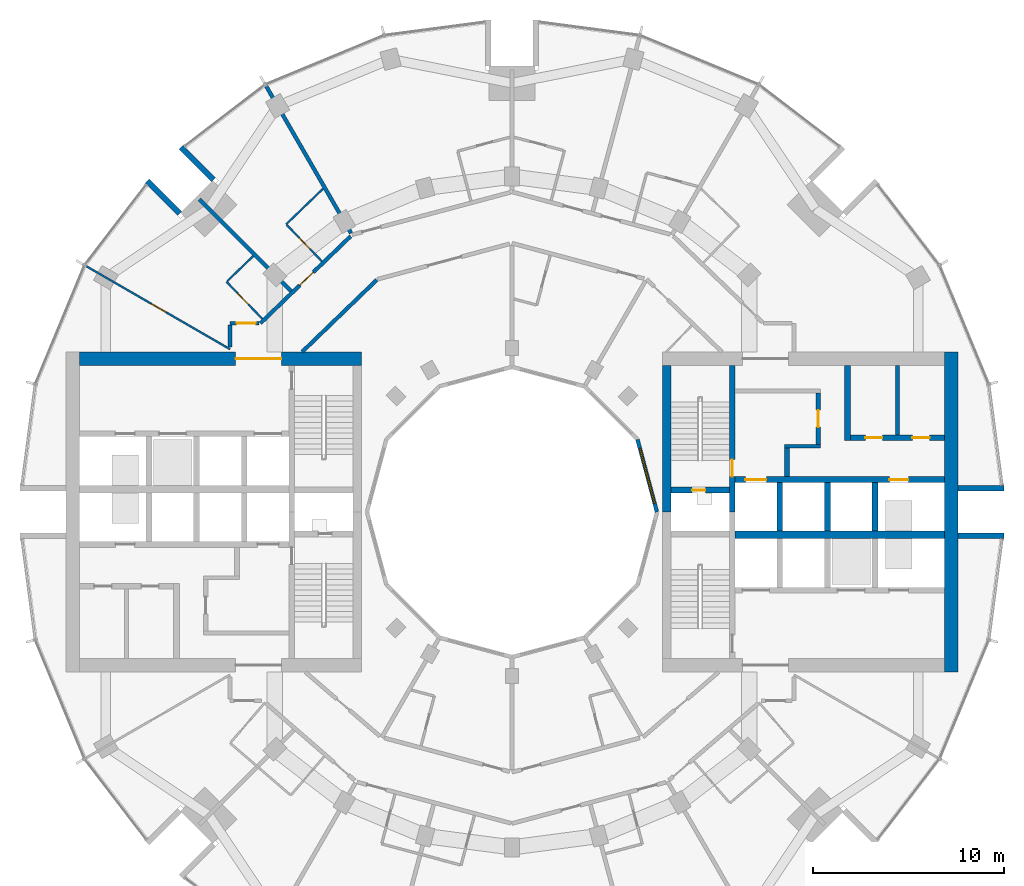
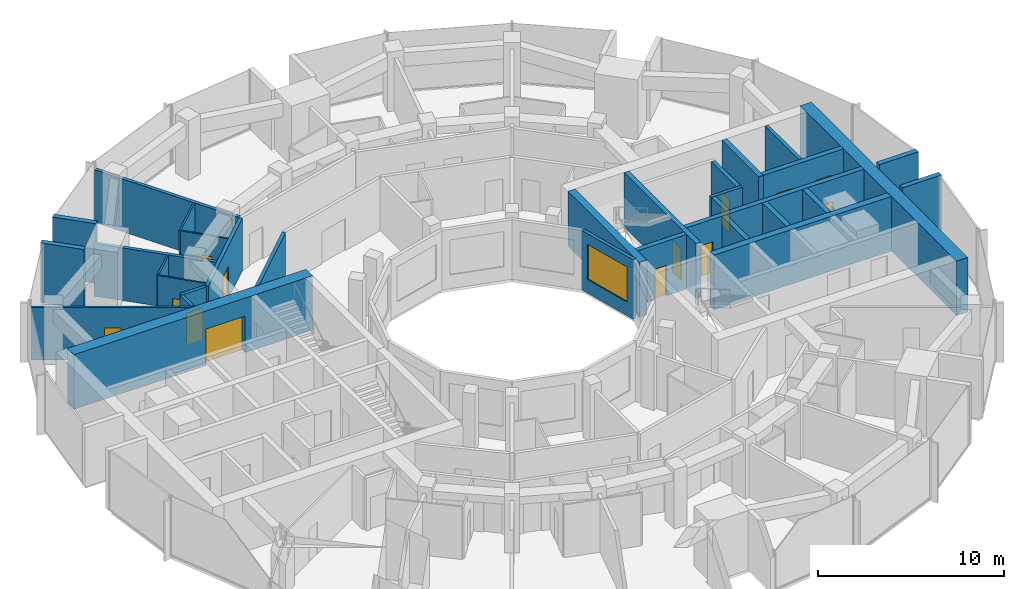
# One storey, part 11 of 15: 32 walls, 13 doors, 1 window, 14 openings.
"""IFC4 building model written with IfcOpenShell, lengths in metres."""

from ifc_helpers import new_model, si_unit, direction, frame, frame_2d, origin, place, context, subcontext, project, spatial, rectangle, extrude, material, layer, layer_set, type_object, element, fill, save


model = new_model("IFC4")

# Units and contexts
model_context = context("Model", 3, precision=1e-05, world=origin(), true_north=direction((0.0, 1.0)))
body_context = subcontext(model_context, "Body", "Model", "MODEL_VIEW")
ifc_project = project(units=[si_unit("LENGTHUNIT", "METRE"), si_unit("AREAUNIT", "SQUARE_METRE"), si_unit("VOLUMEUNIT", "CUBIC_METRE"), si_unit("PLANEANGLEUNIT", "RADIAN"), si_unit("MASSUNIT", "GRAM", prefix="KILO")], contexts=[model_context])

# Site, building, storey
site_placement = place(None, origin())
site = spatial("IfcSite", under=ifc_project, at=site_placement, CompositionType="ELEMENT")
building_placement = place(site_placement, origin())
building = spatial("IfcBuilding", under=site, at=building_placement, Name="Torre Brocal", CompositionType="ELEMENT")
storey_placement = place(building_placement, frame((0.0, 0.0, 118.5)))
storey = spatial("IfcBuildingStorey", under=building, at=storey_placement, Name="L27", CompositionType="ELEMENT", Elevation=118.5)

# Walls
ifc_material_1 = material(Name="Masonry block", Category="masonry")
ifc_layer_1 = layer(ifc_material_1, 0.199951171875)
ifc_layer_set_1 = layer_set([ifc_layer_1], Name="Masonry block")
wall_type_1 = type_object("IfcWallType", Name="CORE PARTITION 200", PredefinedType="PARTITIONING", material=ifc_layer_set_1)
wall_1_placement = place(storey_placement, frame((100.22509765625, 79.050048828125, 0.0), z_axis=(0.0, 0.0, 1.0), x_axis=(0.0, 1.0, 0.0)))
element("IfcWall", 1, at=wall_1_placement, inside=storey, type_object=wall_type_1, Name="Wall CP200", PredefinedType="PARTITIONING", context=body_context, shape_type="SweptSolid", body=[
    extrude(rectangle(XDim=3.64990234375, YDim=0.199951171875, at=frame_2d((1.824951171875, 0.0))), origin(), (0.0, 0.0, 1.0), 3.580078125),
])
ifc_material_2 = material(Name="Concrete C70", Category="concrete")
ifc_layer_2 = layer(ifc_material_2, 0.199951171875)
ifc_layer_set_2 = layer_set([ifc_layer_2], Name="Concrete C70")
wall_type_2 = type_object("IfcWallType", Name="CORE WALL 200 C70", PredefinedType="SHEAR", material=ifc_layer_set_2)
wall_2_placement = place(storey_placement, frame((94.300048828125, 78.449951171875, 0.0), z_axis=(0.0, 0.0, 1.0), x_axis=(1.0, 0.0, 0.0)))
element("IfcWall", 2, at=wall_2_placement, inside=storey, type_object=wall_type_2, Name="Wall CW200-70", PredefinedType="SHEAR", context=body_context, shape_type="SweptSolid", body=[
    extrude(rectangle(XDim=1.89990234375, YDim=0.199951171875, at=frame_2d((0.949951171875, 0.0))), origin(), (0.0, 0.0, 1.0), 3.580078125),
])

# Wall, opening, door
ifc_material_3 = material(Name="Concrete C70", Category="concrete")
ifc_layer_3 = layer(ifc_material_3, 0.25)
ifc_layer_set_3 = layer_set([ifc_layer_3], Name="Concrete C70")
wall_type_3 = type_object("IfcWallType", Name="CORE WALL 250 C70", PredefinedType="SHEAR", material=ifc_layer_set_3)
wall_3_placement = place(storey_placement, frame((96.074951171875, 78.550048828125, 0.0), z_axis=(0.0, 0.0, 1.0), x_axis=(0.0, 1.0, 0.0)))
wall_3 = element("IfcWall", 3, at=wall_3_placement, inside=storey, type_object=wall_type_3, Name="Wall CW250-70", PredefinedType="SHEAR", context=body_context, shape_type="SweptSolid", body=[
    extrude(rectangle(XDim=2.699951171875, YDim=0.25, at=frame_2d((1.35009765625, 0.0))), origin(), (0.0, 0.0, 1.0), 3.580078125),
])
opening_1_placement = place(wall_3_placement, frame((0.89990234375, 0.0, 0.0)))
opening_1 = element("IfcOpeningElement", 4, at=opening_1_placement, cuts=wall_3, Name="Opening E-D15", PredefinedType="OPENING", context=body_context, shape_type="SweptSolid", body=[
    extrude(rectangle(XDim=0.89990234375, YDim=2.10009765625, at=frame_2d((0.449951171875, 1.050048828125))), frame((0.0, 0.135009765625, 0.0), z_axis=(0.0, -1.0, 0.0), x_axis=(1.0, 0.0, 0.0)), (0.0, 0.0, 1.0), 0.27001953125),
])
ifc_material_4 = material(Name="Steel A653", Category="steel")
door_type_1 = type_object("IfcDoorType", Name="LOBBY DOOR FD120 900X2100", OperationType="SINGLE_SWING_RIGHT", PredefinedType="DOOR", material=ifc_material_4)
door_1_placement = place(opening_1_placement, origin())
door_1 = element("IfcDoor", 5, at=door_1_placement, inside=storey, type_object=door_type_1, Name="Door E-D15", OperationType="SINGLE_SWING_LEFT", OverallHeight=2.10009765625, OverallWidth=0.89990234375, PredefinedType="DOOR", context=body_context, shape_type="SweptSolid", body=[
    extrude(rectangle(XDim=0.89990234375, YDim=2.10009765625, at=frame_2d((0.449951171875, 1.050048828125))), frame((0.0, 0.02490234375, 0.0), z_axis=(0.0, -1.0, 0.0), x_axis=(1.0, 0.0, 0.0)), (0.0, 0.0, 1.0), 0.050048828125),
])
fill(opening_1, door_1)

# Wall
wall_4_placement = place(storey_placement, frame((94.425048828125, 76.85009765625, 0.0), z_axis=(0.0, 0.0, 1.0), x_axis=(0.0, 1.0, 0.0)))
element("IfcWall", 6, at=wall_4_placement, inside=storey, type_object=wall_type_3, Name="Wall CW250-70", PredefinedType="SHEAR", context=body_context, shape_type="SweptSolid", body=[
    extrude(rectangle(XDim=1.5, YDim=0.25, at=frame_2d((0.75, 0.0))), origin(), (0.0, 0.0, 1.0), 3.580078125),
])

# Wall, opening, door
ifc_material_5 = material(Name="Concrete C70", Category="concrete")
ifc_layer_4 = layer(ifc_material_5, 0.300048828125)
ifc_layer_set_4 = layer_set([ifc_layer_4], Name="Concrete C70")
wall_type_4 = type_object("IfcWallType", Name="CORE WALL 300 C70", PredefinedType="SHEAR", material=ifc_layer_set_4)
wall_5_placement = place(storey_placement, frame((91.550048828125, 75.0, 0.0), z_axis=(0.0, 0.0, 1.0), x_axis=(0.0, 1.0, 0.0)))
wall_5 = element("IfcWall", 7, at=wall_5_placement, inside=storey, type_object=wall_type_4, Name="Wall CW300-70", PredefinedType="SHEAR", context=body_context, shape_type="SweptSolid", body=[
    extrude(rectangle(XDim=7.699951171875, YDim=0.300048828125, at=frame_2d((3.85009765625, 0.0))), origin(), (0.0, 0.0, 1.0), 3.580078125),
])
opening_2_placement = place(wall_5_placement, frame((1.85009765625, 0.0, 0.0)))
opening_2 = element("IfcOpeningElement", 8, at=opening_2_placement, cuts=wall_5, Name="Opening E-D02", PredefinedType="OPENING", context=body_context, shape_type="SweptSolid", body=[
    extrude(rectangle(XDim=0.89990234375, YDim=2.10009765625, at=frame_2d((0.449951171875, 1.050048828125))), frame((0.0, 0.159912109375, 0.0), z_axis=(0.0, -1.0, 0.0), x_axis=(1.0, 0.0, 0.0)), (0.0, 0.0, 1.0), 0.320068359375),
])
ifc_material_6 = material(Name="Steel A653", Category="steel")
door_type_2 = type_object("IfcDoorType", Name="STAIR DOOR FD120 900X2100", OperationType="SINGLE_SWING_RIGHT", PredefinedType="DOOR", material=ifc_material_6)
door_2_placement = place(opening_2_placement, origin())
door_2 = element("IfcDoor", 9, at=door_2_placement, inside=storey, type_object=door_type_2, Name="Door E-D02", OperationType="SINGLE_SWING_LEFT", OverallHeight=2.10009765625, OverallWidth=0.89990234375, PredefinedType="DOOR", context=body_context, shape_type="SweptSolid", body=[
    extrude(rectangle(XDim=0.89990234375, YDim=2.10009765625, at=frame_2d((0.449951171875, 1.050048828125))), frame((0.0, 0.02490234375, 0.0), z_axis=(0.0, -1.0, 0.0), x_axis=(1.0, 0.0, 0.0)), (0.0, 0.0, 1.0), 0.050048828125),
])
fill(opening_2, door_2)

wall_6_placement = place(storey_placement, frame((88.35009765625, 76.14990234375, 0.0), z_axis=(0.0, 0.0, 1.0), x_axis=(1.0, 0.0, 0.0)))
wall_6 = element("IfcWall", 10, at=wall_6_placement, inside=storey, type_object=wall_type_4, Name="Wall CW300-70", PredefinedType="SHEAR", context=body_context, shape_type="SweptSolid", body=[
    extrude(rectangle(XDim=3.0498046875, YDim=0.300048828125, at=frame_2d((1.52490234375, 0.0))), origin(), (0.0, 0.0, 1.0), 3.580078125),
])
opening_3_placement = place(wall_6_placement, frame((1.10009765625, 0.0, 0.0)))
opening_3 = element("IfcOpeningElement", 11, at=opening_3_placement, cuts=wall_6, Name="Opening E-D01", PredefinedType="OPENING", context=body_context, shape_type="SweptSolid", body=[
    extrude(rectangle(XDim=0.699951171875, YDim=2.0, at=frame_2d((0.35009765625, 1.0))), frame((0.0, 0.159912109375, 0.0), z_axis=(0.0, -1.0, 0.0), x_axis=(1.0, 0.0, 0.0)), (0.0, 0.0, 1.0), 0.320068359375),
])
ifc_material_7 = material(Name="Steel A653", Category="steel")
door_type_3 = type_object("IfcDoorType", Name="RISER DOOR FD120 700X2000", OperationType="SINGLE_SWING_LEFT", PredefinedType="DOOR", material=ifc_material_7)
door_3_placement = place(opening_3_placement, frame((0.699951171875, 0.0, 0.0), z_axis=(0.0, 0.0, 1.0), x_axis=(-1.0, 0.0, 0.0)))
door_3 = element("IfcDoor", 12, at=door_3_placement, inside=storey, type_object=door_type_3, Name="Door E-D01", OperationType="SINGLE_SWING_RIGHT", OverallHeight=2.0, OverallWidth=0.699951171875, PredefinedType="DOOR", context=body_context, shape_type="SweptSolid", body=[
    extrude(rectangle(XDim=0.699951171875, YDim=2.0, at=frame_2d((0.35009765625, 1.0))), frame((0.0, 0.02490234375, 0.0), z_axis=(0.0, -1.0, 0.0), x_axis=(1.0, 0.0, 0.0)), (0.0, 0.0, 1.0), 0.050048828125),
])
fill(opening_3, door_3)

# Wall, openings, doors
wall_7_placement = place(storey_placement, frame((91.699951171875, 76.699951171875, 0.0), z_axis=(0.0, 0.0, 1.0), x_axis=(1.0, 0.0, 0.0)))
wall_7 = element("IfcWall", 13, at=wall_7_placement, inside=storey, type_object=wall_type_4, Name="Wall CW300-70", PredefinedType="SHEAR", context=body_context, shape_type="SweptSolid", body=[
    extrude(rectangle(XDim=11.0, YDim=0.300048828125, at=frame_2d((5.5, 0.0))), origin(), (0.0, 0.0, 1.0), 3.580078125),
])
opening_4_placement = place(wall_7_placement, frame((0.550048828125, 0.0, 0.0)))
opening_4 = element("IfcOpeningElement", 14, at=opening_4_placement, cuts=wall_7, Name="Opening LD", PredefinedType="OPENING", context=body_context, shape_type="SweptSolid", body=[
    extrude(rectangle(XDim=1.10009765625, YDim=2.10009765625, at=frame_2d((0.550048828125, 1.050048828125))), frame((0.0, 0.159912109375, 0.0), z_axis=(0.0, -1.0, 0.0), x_axis=(1.0, 0.0, 0.0)), (0.0, 0.0, 1.0), 0.320068359375),
])
opening_5_placement = place(wall_7_placement, frame((8.10009765625, 0.0, 0.0)))
opening_5 = element("IfcOpeningElement", 15, at=opening_5_placement, cuts=wall_7, Name="Opening LD10", PredefinedType="OPENING", context=body_context, shape_type="SweptSolid", body=[
    extrude(rectangle(XDim=1.0, YDim=2.10009765625, at=frame_2d((0.5, 1.050048828125))), frame((0.0, 0.159912109375, 0.0), z_axis=(0.0, -1.0, 0.0), x_axis=(1.0, 0.0, 0.0)), (0.0, 0.0, 1.0), 0.320068359375),
])
ifc_material_8 = material(Name="Stainless steel AISI 316", Category="steel")
door_type_4 = type_object("IfcDoorType", Name="LIFT LANDING DOOR 1000X2100", OperationType="DOUBLE_DOOR_SLIDING", PredefinedType="DOOR", material=ifc_material_8)
door_4_placement = place(opening_5_placement, origin())
door_4 = element("IfcDoor", 16, at=door_4_placement, inside=storey, type_object=door_type_4, Name="Door LD10", OperationType="DOUBLE_DOOR_SLIDING", OverallHeight=2.10009765625, OverallWidth=1.0, PredefinedType="DOOR", context=body_context, shape_type="SweptSolid", body=[
    extrude(rectangle(XDim=1.0, YDim=2.10009765625, at=frame_2d((0.5, 1.050048828125))), frame((0.0, 0.02490234375, 0.0), z_axis=(0.0, -1.0, 0.0), x_axis=(1.0, 0.0, 0.0)), (0.0, 0.0, 1.0), 0.050048828125),
])
fill(opening_5, door_4)
ifc_material_9 = material(Name="Stainless steel AISI 316", Category="steel")
door_type_5 = type_object("IfcDoorType", Name="LIFT LANDING DOOR 1100X2100", OperationType="DOUBLE_DOOR_SLIDING", PredefinedType="DOOR", material=ifc_material_9)
door_5_placement = place(opening_4_placement, origin())
door_5 = element("IfcDoor", 17, at=door_5_placement, inside=storey, type_object=door_type_5, Name="Door LD", OperationType="DOUBLE_DOOR_SLIDING", OverallHeight=2.10009765625, OverallWidth=1.10009765625, PredefinedType="DOOR", context=body_context, shape_type="SweptSolid", body=[
    extrude(rectangle(XDim=1.10009765625, YDim=2.10009765625, at=frame_2d((0.550048828125, 1.050048828125))), frame((0.0, 0.02490234375, 0.0), z_axis=(0.0, -1.0, 0.0), x_axis=(1.0, 0.0, 0.0)), (0.0, 0.0, 1.0), 0.050048828125),
])
fill(opening_4, door_5)

# Walls
for number, where, z_axis, x_axis, name in (
    (18, (94.050048828125, 74.0, 0.0), (0.0, 0.0, 1.0), (0.0, 1.0, 0.0), "Wall CW300-70"),
    (19, (96.550048828125, 74.0, 0.0), (0.0, 0.0, 1.0), (0.0, 1.0, 0.0), "Wall CW300-70"),
    (20, (99.050048828125, 74.0, 0.0), (0.0, 0.0, 1.0), (0.0, 1.0, 0.0), "Wall CW300-70"),
):
    element("IfcWall", number, at=place(storey_placement, frame(where, z_axis=z_axis, x_axis=x_axis)), inside=storey, type_object=wall_type_4, Name=name, PredefinedType="SHEAR", context=body_context, shape_type="SweptSolid", body=[
        extrude(rectangle(XDim=2.550048828125, YDim=0.300048828125, at=frame_2d((1.27490234375, 0.0))), origin(), (0.0, 0.0, 1.0), 3.580078125),
    ])
wall_8_placement = place(storey_placement, frame((97.60009765625, 78.75, 0.0), z_axis=(0.0, 0.0, 1.0), x_axis=(0.0, 1.0, 0.0)))
element("IfcWall", 21, at=wall_8_placement, inside=storey, type_object=wall_type_4, Name="Wall CW300-70", PredefinedType="SHEAR", context=body_context, shape_type="SweptSolid", body=[
    extrude(rectangle(XDim=3.949951171875, YDim=0.300048828125, at=frame_2d((1.97509765625, 0.0))), origin(), (0.0, 0.0, 1.0), 3.580078125),
])

# Wall, openings, doors
wall_9_placement = place(storey_placement, frame((97.75, 78.89990234375, 0.0), z_axis=(0.0, 0.0, 1.0), x_axis=(1.0, 0.0, 0.0)))
wall_9 = element("IfcWall", 22, at=wall_9_placement, inside=storey, type_object=wall_type_4, Name="Wall CW300-70", PredefinedType="SHEAR", context=body_context, shape_type="SweptSolid", body=[
    extrude(rectangle(XDim=4.949951171875, YDim=0.300048828125, at=frame_2d((2.47509765625, 0.0))), origin(), (0.0, 0.0, 1.0), 3.580078125),
])
opening_6_placement = place(wall_9_placement, frame((0.78759765625, 0.0, 0.0)))
opening_6 = element("IfcOpeningElement", 23, at=opening_6_placement, cuts=wall_9, Name="Opening E-D05", PredefinedType="OPENING", context=body_context, shape_type="SweptSolid", body=[
    extrude(rectangle(XDim=0.89990234375, YDim=2.10009765625, at=frame_2d((0.449951171875, 1.050048828125))), frame((0.0, 0.159912109375, 0.0), z_axis=(0.0, -1.0, 0.0), x_axis=(1.0, 0.0, 0.0)), (0.0, 0.0, 1.0), 0.320068359375),
])
opening_7_placement = place(wall_9_placement, frame((3.262451171875, 0.0, 0.0)))
opening_7 = element("IfcOpeningElement", 24, at=opening_7_placement, cuts=wall_9, Name="Opening E-D06", PredefinedType="OPENING", context=body_context, shape_type="SweptSolid", body=[
    extrude(rectangle(XDim=0.89990234375, YDim=2.10009765625, at=frame_2d((0.449951171875, 1.050048828125))), frame((0.0, 0.159912109375, 0.0), z_axis=(0.0, -1.0, 0.0), x_axis=(1.0, 0.0, 0.0)), (0.0, 0.0, 1.0), 0.320068359375),
])
ifc_material_10 = material(Name="Steel A653", Category="steel")
door_type_6 = type_object("IfcDoorType", Name="ROOM DOOR FD30S 900X2100", OperationType="SINGLE_SWING_LEFT", PredefinedType="DOOR", material=ifc_material_10)
door_6_placement = place(opening_6_placement, origin())
door_6 = element("IfcDoor", 25, at=door_6_placement, inside=storey, type_object=door_type_6, Name="Door E-D05", OperationType="SINGLE_SWING_RIGHT", OverallHeight=2.10009765625, OverallWidth=0.89990234375, PredefinedType="DOOR", context=body_context, shape_type="SweptSolid", body=[
    extrude(rectangle(XDim=0.89990234375, YDim=2.10009765625, at=frame_2d((0.449951171875, 1.050048828125))), frame((0.0, 0.02490234375, 0.0), z_axis=(0.0, -1.0, 0.0), x_axis=(1.0, 0.0, 0.0)), (0.0, 0.0, 1.0), 0.050048828125),
])
fill(opening_6, door_6)
door_7_placement = place(opening_7_placement, origin())
door_7 = element("IfcDoor", 26, at=door_7_placement, inside=storey, type_object=door_type_6, Name="Door E-D06", OperationType="SINGLE_SWING_LEFT", OverallHeight=2.10009765625, OverallWidth=0.89990234375, PredefinedType="DOOR", context=body_context, shape_type="SweptSolid", body=[
    extrude(rectangle(XDim=0.89990234375, YDim=2.10009765625, at=frame_2d((0.449951171875, 1.050048828125))), frame((0.0, 0.02490234375, 0.0), z_axis=(0.0, -1.0, 0.0), x_axis=(1.0, 0.0, 0.0)), (0.0, 0.0, 1.0), 0.050048828125),
])
fill(opening_7, door_7)

# Walls
ifc_material_11 = material(Name="Concrete C70", Category="concrete")
ifc_layer_5 = layer(ifc_material_11, 0.39990234375)
ifc_layer_set_5 = layer_set([ifc_layer_5], Name="Concrete C70")
wall_type_5 = type_object("IfcWallType", Name="CORE WALL 400 C70", PredefinedType="SHEAR", material=ifc_layer_set_5)
wall_10_placement = place(storey_placement, frame((91.699951171875, 73.800048828125, 0.0), z_axis=(0.0, 0.0, 1.0), x_axis=(1.0, 0.0, 0.0)))
element("IfcWall", 27, at=wall_10_placement, inside=storey, type_object=wall_type_5, Name="Wall CW400-70", PredefinedType="SHEAR", context=body_context, shape_type="SweptSolid", body=[
    extrude(rectangle(XDim=11.0, YDim=0.39990234375, at=frame_2d((5.5, 0.0))), origin(), (0.0, 0.0, 1.0), 3.580078125),
])
ifc_material_12 = material(Name="Concrete C70", Category="concrete")
ifc_layer_6 = layer(ifc_material_12, 0.449951171875)
ifc_layer_set_6 = layer_set([ifc_layer_6], Name="Concrete C70")
wall_type_6 = type_object("IfcWallType", Name="CORE WALL 450 C70", PredefinedType="SHEAR", material=ifc_layer_set_6)
wall_11_placement = place(storey_placement, frame((88.125, 75.0, 0.0), z_axis=(0.0, 0.0, 1.0), x_axis=(0.0, 1.0, 0.0)))
element("IfcWall", 28, at=wall_11_placement, inside=storey, type_object=wall_type_6, Name="Wall CW450-70", PredefinedType="SHEAR", context=body_context, shape_type="SweptSolid", body=[
    extrude(rectangle(XDim=7.699951171875, YDim=0.449951171875, at=frame_2d((3.85009765625, 0.0))), origin(), (0.0, 0.0, 1.0), 3.580078125),
])
ifc_material_13 = material(Name="Concrete C70", Category="concrete")
ifc_layer_7 = layer(ifc_material_13, 0.699951171875)
ifc_layer_set_7 = layer_set([ifc_layer_7], Name="Concrete C70")
wall_type_7 = type_object("IfcWallType", Name="CORE WALL 700 C70", PredefinedType="SHEAR", material=ifc_layer_set_7)
wall_12_placement = place(storey_placement, frame((103.050048828125, 66.60009765625, 0.0), z_axis=(0.0, 0.0, 1.0), x_axis=(0.0, 1.0, 0.0)))
element("IfcWall", 29, at=wall_12_placement, inside=storey, type_object=wall_type_7, Name="Wall CW700-70", PredefinedType="SHEAR", context=body_context, shape_type="SweptSolid", body=[
    extrude(rectangle(XDim=16.7998046875, YDim=0.699951171875, at=frame_2d((8.39990234375, 0.0))), origin(), (0.0, 0.0, 1.0), 3.580078125),
])

# Wall, opening, door
wall_13_placement = place(storey_placement, frame((72.10009765625, 83.050048828125, 0.0), z_axis=(0.0, 0.0, 1.0), x_axis=(-1.0, 0.0, 0.0)))
wall_13 = element("IfcWall", 30, at=wall_13_placement, inside=storey, type_object=wall_type_7, Name="Wall CW700-70", PredefinedType="SHEAR", context=body_context, shape_type="SweptSolid", body=[
    extrude(rectangle(XDim=14.800048828125, YDim=0.699951171875, at=frame_2d((7.39990234375, 0.0))), origin(), (0.0, 0.0, 1.0), 3.580078125),
])
opening_8_placement = place(wall_13_placement, frame((4.199951171875, 0.0, 0.0)))
opening_8 = element("IfcOpeningElement", 31, at=opening_8_placement, cuts=wall_13, Name="Opening W-D27", PredefinedType="OPENING", context=body_context, shape_type="SweptSolid", body=[
    extrude(rectangle(XDim=2.39990234375, YDim=2.39990234375, at=frame_2d((1.199951171875, 1.199951171875))), frame((0.0, 0.35986328125, 0.0), z_axis=(0.0, -1.0, 0.0), x_axis=(1.0, 0.0, 0.0)), (0.0, 0.0, 1.0), 0.719970703125),
])
ifc_material_14 = material(Name="Steel A653", Category="steel")
door_type_7 = type_object("IfcDoorType", Name="DOUBLE FIRE DOOR FD90 2400X2400", OperationType="DOUBLE_DOOR_SINGLE_SWING", PredefinedType="DOOR", material=ifc_material_14)
door_8_placement = place(opening_8_placement, origin())
door_8 = element("IfcDoor", 32, at=door_8_placement, inside=storey, type_object=door_type_7, Name="Door W-D27", OperationType="DOUBLE_DOOR_SINGLE_SWING", OverallHeight=2.39990234375, OverallWidth=2.39990234375, PredefinedType="DOOR", context=body_context, shape_type="SweptSolid", body=[
    extrude(rectangle(XDim=2.39990234375, YDim=2.39990234375, at=frame_2d((1.199951171875, 1.199951171875))), frame((0.0, 0.02490234375, 0.0), z_axis=(0.0, -1.0, 0.0), x_axis=(1.0, 0.0, 0.0)), (0.0, 0.0, 1.0), 0.050048828125),
])
fill(opening_8, door_8)

# Walls
ifc_material_15 = material(Name="Concrete C70", Category="concrete")
ifc_layer_8 = layer(ifc_material_15, 0.300048828125)
ifc_layer_set_8 = layer_set([ifc_layer_8], Name="Concrete C70")
wall_type_8 = type_object("IfcWallType", Name="NOTCH RETURN WALL 300 C70", PredefinedType="NOTDEFINED", material=ifc_layer_set_8)
for number, where, z_axis, x_axis, name in (
    (33, (103.39990234375, 73.75, 0.0), (0.0, 0.0, 1.0), (1.0, 0.0, 0.0), "NOTCH RETURN WALL"),
    (34, (103.39990234375, 76.25, 0.0), (0.0, 0.0, 1.0), (1.0, 0.0, 0.0), "NOTCH RETURN WALL"),
    (35, (64.337646484375, 92.43017578125, 0.0), (0.0, 0.0, 1.0), (-0.707106781187, 0.707106781187, 0.0), "NOTCH RETURN WALL"),
    (36, (62.56982421875, 90.662353515625, 0.0), (0.0, 0.0, 1.0), (-0.707106781187, 0.707106781187, 0.0), "NOTCH RETURN WALL"),
):
    element("IfcWall", number, at=place(storey_placement, frame(where, z_axis=z_axis, x_axis=x_axis)), inside=storey, type_object=wall_type_8, Name=name, PredefinedType="NOTDEFINED", context=body_context, shape_type="SweptSolid", body=[
        extrude(rectangle(XDim=2.415771484375, YDim=0.300048828125, at=frame_2d((1.2080078125, 0.0))), origin(), (0.0, 0.0, 1.0), 3.89990234375),
    ])

# Wall, opening, door
ifc_material_16 = material(Name="Gypsum board", Category="Gypsum")
ifc_layer_9 = layer(ifc_material_16, 0.10009765625)
ifc_layer_set_9 = layer_set([ifc_layer_9], Name="Gypsum board")
wall_type_9 = type_object("IfcWallType", Name="PARTITION 100", PredefinedType="PARTITIONING", material=ifc_layer_set_9)
wall_14_placement = place(storey_placement, frame((57.65869140625, 87.89892578125, 0.0), z_axis=(0.0, 0.0, 1.0), x_axis=(0.86602264145, -0.500004784474, 0.0)))
wall_14 = element("IfcWall", 37, at=wall_14_placement, inside=storey, type_object=wall_type_9, Name="ROOM PARTITION", PredefinedType="PARTITIONING", context=body_context, shape_type="SweptSolid", body=[
    extrude(rectangle(XDim=8.7080078125, YDim=0.10009765625, at=frame_2d((4.35400390625, 0.0))), origin(), (0.0, 0.0, 1.0), 3.449951171875),
])
opening_9_placement = place(wall_14_placement, frame((3.928955078125, 0.0, 0.0)))
opening_9 = element("IfcOpeningElement", 38, at=opening_9_placement, cuts=wall_14, Name="Opening E01-D13", PredefinedType="OPENING", context=body_context, shape_type="SweptSolid", body=[
    extrude(rectangle(XDim=0.89990234375, YDim=2.10009765625, at=frame_2d((0.449951171875, 1.050048828125))), frame((0.0, 0.06005859375, 0.0), z_axis=(0.0, -1.0, 0.0), x_axis=(1.0, 0.0, 0.0)), (0.0, 0.0, 1.0), 0.1201171875),
])
ifc_material_17 = material(Name="Timber", Category="wood")
door_type_8 = type_object("IfcDoorType", Name="ROOM DOOR 900X2100", OperationType="SINGLE_SWING_LEFT", PredefinedType="DOOR", material=ifc_material_17)
door_9_placement = place(opening_9_placement, frame((0.89990234375, 0.0, 0.0), z_axis=(0.0, 0.0, 1.0), x_axis=(-1.0, 0.0, 0.0)))
door_9 = element("IfcDoor", 39, at=door_9_placement, inside=storey, type_object=door_type_8, Name="E01-D13", OperationType="SINGLE_SWING_LEFT", OverallHeight=2.10009765625, OverallWidth=0.89990234375, PredefinedType="DOOR", context=body_context, shape_type="SweptSolid", body=[
    extrude(rectangle(XDim=0.89990234375, YDim=2.10009765625, at=frame_2d((0.449951171875, 1.050048828125))), frame((0.0, 0.02490234375, 0.0), z_axis=(0.0, -1.0, 0.0), x_axis=(1.0, 0.0, 0.0)), (0.0, 0.0, 1.0), 0.050048828125),
])
fill(opening_9, door_9)

# Wall
wall_15_placement = place(storey_placement, frame((65.058837890625, 87.11376953125, 0.0), z_axis=(0.0, 0.0, 1.0), x_axis=(0.719715847356, 0.694268751324, 0.0)))
element("IfcWall", 40, at=wall_15_placement, inside=storey, type_object=wall_type_9, Name="BATHROOM WALL", PredefinedType="PARTITIONING", context=body_context, shape_type="SweptSolid", body=[
    extrude(rectangle(XDim=1.899658203125, YDim=0.10009765625, at=frame_2d((0.94970703125, 0.0))), origin(), (0.0, 0.0, 1.0), 3.449951171875),
])

# Wall, opening, door
wall_16_placement = place(storey_placement, frame((65.02294921875, 87.0791015625, 0.0), z_axis=(0.0, 0.0, 1.0), x_axis=(0.694287838235, -0.719697434815, 0.0)))
wall_16 = element("IfcWall", 41, at=wall_16_placement, inside=storey, type_object=wall_type_9, Name="BATHROOM WALL", PredefinedType="PARTITIONING", context=body_context, shape_type="SweptSolid", body=[
    extrude(rectangle(XDim=2.699951171875, YDim=0.10009765625, at=frame_2d((1.35009765625, 0.0))), origin(), (0.0, 0.0, 1.0), 3.449951171875),
])
opening_10_placement = place(wall_16_placement, frame((0.849853515625, 0.0, 0.0)))
opening_10 = element("IfcOpeningElement", 42, at=opening_10_placement, cuts=wall_16, Name="Opening E01-D12", PredefinedType="OPENING", context=body_context, shape_type="SweptSolid", body=[
    extrude(rectangle(XDim=0.800048828125, YDim=2.10009765625, at=frame_2d((0.39990234375, 1.050048828125))), frame((0.0, 0.06005859375, 0.0), z_axis=(0.0, -1.0, 0.0), x_axis=(1.0, 0.0, 0.0)), (0.0, 0.0, 1.0), 0.1201171875),
])
ifc_material_18 = material(Name="Timber", Category="wood")
door_type_9 = type_object("IfcDoorType", Name="BATHROOM DOOR 800X2100", OperationType="SINGLE_SWING_LEFT", PredefinedType="DOOR", material=ifc_material_18)
door_10_placement = place(opening_10_placement, origin())
door_10 = element("IfcDoor", 43, at=door_10_placement, inside=storey, type_object=door_type_9, Name="E01-D12", OperationType="SINGLE_SWING_LEFT", OverallHeight=2.10009765625, OverallWidth=0.800048828125, PredefinedType="DOOR", context=body_context, shape_type="SweptSolid", body=[
    extrude(rectangle(XDim=0.800048828125, YDim=2.10009765625, at=frame_2d((0.39990234375, 1.050048828125))), frame((0.0, 0.02490234375, 0.0), z_axis=(0.0, -1.0, 0.0), x_axis=(1.0, 0.0, 0.0)), (0.0, 0.0, 1.0), 0.050048828125),
])
fill(opening_10, door_10)

wall_17_placement = place(storey_placement, frame((68.184814453125, 90.06005859375, 0.0), z_axis=(0.0, 0.0, 1.0), x_axis=(0.69446127412, -0.719530081892, 0.0)))
wall_17 = element("IfcWall", 44, at=wall_17_placement, inside=storey, type_object=wall_type_9, Name="BATHROOM WALL", PredefinedType="PARTITIONING", context=body_context, shape_type="SweptSolid", body=[
    extrude(rectangle(XDim=2.64892578125, YDim=0.10009765625, at=frame_2d((1.324462890625, 0.0))), origin(), (0.0, 0.0, 1.0), 3.449951171875),
])
opening_11_placement = place(wall_17_placement, frame((0.94970703125, 0.0, 0.0)))
opening_11 = element("IfcOpeningElement", 45, at=opening_11_placement, cuts=wall_17, Name="Opening E01-D10", PredefinedType="OPENING", context=body_context, shape_type="SweptSolid", body=[
    extrude(rectangle(XDim=0.800048828125, YDim=2.10009765625, at=frame_2d((0.39990234375, 1.050048828125))), frame((0.0, 0.06005859375, 0.0), z_axis=(0.0, -1.0, 0.0), x_axis=(1.0, 0.0, 0.0)), (0.0, 0.0, 1.0), 0.1201171875),
])
door_11_placement = place(opening_11_placement, origin())
door_11 = element("IfcDoor", 46, at=door_11_placement, inside=storey, type_object=door_type_9, Name="E01-D10", OperationType="SINGLE_SWING_RIGHT", OverallHeight=2.10009765625, OverallWidth=0.800048828125, PredefinedType="DOOR", context=body_context, shape_type="SweptSolid", body=[
    extrude(rectangle(XDim=0.800048828125, YDim=2.10009765625, at=frame_2d((0.39990234375, 1.050048828125))), frame((0.0, 0.02490234375, 0.0), z_axis=(0.0, -1.0, 0.0), x_axis=(1.0, 0.0, 0.0)), (0.0, 0.0, 1.0), 0.050048828125),
])
fill(opening_11, door_11)

# Walls
wall_18_placement = place(storey_placement, frame((68.150146484375, 90.095947265625, 0.0), z_axis=(0.0, 0.0, 1.0), x_axis=(0.719667544954, 0.694318820672, 0.0)))
element("IfcWall", 47, at=wall_18_placement, inside=storey, type_object=wall_type_9, Name="BATHROOM WALL", PredefinedType="PARTITIONING", context=body_context, shape_type="SweptSolid", body=[
    extrude(rectangle(XDim=2.68701171875, YDim=0.10009765625, at=frame_2d((1.343505859375, 0.0))), origin(), (0.0, 0.0, 1.0), 3.449951171875),
])
ifc_material_19 = material(Name="Gypsum board", Category="Gypsum")
ifc_layer_10 = layer(ifc_material_19, 0.199951171875)
ifc_layer_set_10 = layer_set([ifc_layer_10], Name="Gypsum board")
wall_type_10 = type_object("IfcWallType", Name="PARTITION 200 EI60", PredefinedType="PARTITIONING", material=ifc_layer_set_10)
wall_19_placement = place(storey_placement, frame((63.598388671875, 91.408203125, 0.0), z_axis=(0.0, 0.0, 1.0), x_axis=(0.706963264491, -0.707250268759, 0.0)))
element("IfcWall", 48, at=wall_19_placement, inside=storey, type_object=wall_type_10, Name="BATHROOM WALL", PredefinedType="PARTITIONING", context=body_context, shape_type="SweptSolid", body=[
    extrude(rectangle(XDim=6.80517578125, YDim=0.199951171875, at=frame_2d((3.402587890625, 0.0))), origin(), (0.0, 0.0, 1.0), 3.449951171875),
])
wall_20_placement = place(storey_placement, frame((65.199951171875, 83.64990234375, 0.0), z_axis=(0.0, 0.0, 1.0), x_axis=(0.0, 1.0, 0.0)))
element("IfcWall", 49, at=wall_20_placement, inside=storey, type_object=wall_type_10, Name="GUESTROOM CORRIDOR WALL", PredefinedType="PARTITIONING", context=body_context, shape_type="SweptSolid", body=[
    extrude(rectangle(XDim=1.150146484375, YDim=0.199951171875, at=frame_2d((0.5751953125, 0.0))), origin(), (0.0, 0.0, 1.0), 3.449951171875),
])

# Wall, opening, door
wall_21_placement = place(storey_placement, frame((65.199951171875, 84.89990234375, 0.0), z_axis=(0.0, 0.0, 1.0), x_axis=(1.0, 0.0, 0.0)))
wall_21 = element("IfcWall", 50, at=wall_21_placement, inside=storey, type_object=wall_type_10, Name="GUESTROOM CORRIDOR WALL", PredefinedType="PARTITIONING", context=body_context, shape_type="SweptSolid", body=[
    extrude(rectangle(XDim=1.537109375, YDim=0.199951171875, at=frame_2d((0.7685546875, 0.0))), origin(), (0.0, 0.0, 1.0), 3.449951171875),
])
opening_12_placement = place(wall_21_placement, frame((0.346923828125, 0.0, 0.0)))
opening_12 = element("IfcOpeningElement", 51, at=opening_12_placement, cuts=wall_21, Name="Opening E01-D11", PredefinedType="OPENING", context=body_context, shape_type="SweptSolid", body=[
    extrude(rectangle(XDim=1.0, YDim=2.10009765625, at=frame_2d((0.5, 1.050048828125))), frame((0.0, 0.10986328125, 0.0), z_axis=(0.0, -1.0, 0.0), x_axis=(1.0, 0.0, 0.0)), (0.0, 0.0, 1.0), 0.219970703125),
])
ifc_material_20 = material(Name="Timber", Category="wood")
door_type_10 = type_object("IfcDoorType", Name="FLAT ENTRY DOOR FD30S 1000X2100", OperationType="SINGLE_SWING_RIGHT", PredefinedType="DOOR", material=ifc_material_20)
door_12_placement = place(opening_12_placement, origin())
door_12 = element("IfcDoor", 52, at=door_12_placement, inside=storey, type_object=door_type_10, Name="E01-D11", OperationType="SINGLE_SWING_LEFT", OverallHeight=2.10009765625, OverallWidth=1.0, PredefinedType="DOOR", context=body_context, shape_type="SweptSolid", body=[
    extrude(rectangle(XDim=1.0, YDim=2.10009765625, at=frame_2d((0.5, 1.050048828125))), frame((0.0, 0.02490234375, 0.0), z_axis=(0.0, -1.0, 0.0), x_axis=(1.0, 0.0, 0.0)), (0.0, 0.0, 1.0), 0.050048828125),
])
fill(opening_12, door_12)

wall_22_placement = place(storey_placement, frame((66.796630859375, 84.900390625, 0.0), z_axis=(0.0, 0.0, 1.0), x_axis=(0.719692092412, 0.694293376116, 0.0)))
wall_22 = element("IfcWall", 53, at=wall_22_placement, inside=storey, type_object=wall_type_10, Name="GUESTROOM CORRIDOR WALL", PredefinedType="PARTITIONING", context=body_context, shape_type="SweptSolid", body=[
    extrude(rectangle(XDim=6.58447265625, YDim=0.199951171875, at=frame_2d((3.292236328125, 0.0))), origin(), (0.0, 0.0, 1.0), 3.449951171875),
])
opening_13_placement = place(wall_22_placement, frame((2.8662109375, 0.0, 0.0)))
opening_13 = element("IfcOpeningElement", 54, at=opening_13_placement, cuts=wall_22, Name="Opening E01-D09", PredefinedType="OPENING", context=body_context, shape_type="SweptSolid", body=[
    extrude(rectangle(XDim=1.0, YDim=2.10009765625, at=frame_2d((0.5, 1.050048828125))), frame((0.0, 0.10986328125, 0.0), z_axis=(0.0, -1.0, 0.0), x_axis=(1.0, 0.0, 0.0)), (0.0, 0.0, 1.0), 0.219970703125),
])
door_13_placement = place(opening_13_placement, origin())
door_13 = element("IfcDoor", 55, at=door_13_placement, inside=storey, type_object=door_type_10, Name="E01-D09", OperationType="SINGLE_SWING_LEFT", OverallHeight=2.10009765625, OverallWidth=1.0, PredefinedType="DOOR", context=body_context, shape_type="SweptSolid", body=[
    extrude(rectangle(XDim=1.0, YDim=2.10009765625, at=frame_2d((0.5, 1.050048828125))), frame((0.0, 0.02490234375, 0.0), z_axis=(0.0, -1.0, 0.0), x_axis=(1.0, 0.0, 0.0)), (0.0, 0.0, 1.0), 0.050048828125),
])
fill(opening_13, door_13)

# Walls
wall_23_placement = place(storey_placement, frame((67.102294921875, 97.342041015625, 0.0), z_axis=(0.0, 0.0, 1.0), x_axis=(0.499927298089, -0.866067374183, 0.0)))
element("IfcWall", 56, at=wall_23_placement, inside=storey, type_object=wall_type_10, Name="BATHROOM WALL", PredefinedType="PARTITIONING", context=body_context, shape_type="SweptSolid", body=[
    extrude(rectangle(XDim=8.906982421875, YDim=0.199951171875, at=frame_2d((4.45361328125, 0.0))), origin(), (0.0, 0.0, 1.0), 3.449951171875),
])
wall_24_placement = place(storey_placement, frame((68.9873046875, 83.39990234375, 0.0), z_axis=(0.0, 0.0, 1.0), x_axis=(0.719586298962, 0.694403022997, 0.0)))
element("IfcWall", 57, at=wall_24_placement, inside=storey, type_object=wall_type_10, Name="GUESTROOM CORRIDOR WALL", PredefinedType="PARTITIONING", context=body_context, shape_type="SweptSolid", body=[
    extrude(rectangle(XDim=5.438720703125, YDim=0.199951171875, at=frame_2d((2.71923828125, 0.0))), origin(), (0.0, 0.0, 1.0), 3.449951171875),
])

# Wall, opening, window
ifc_material_21 = material(Name="Concrete C40", Category="concrete")
ifc_layer_11 = layer(ifc_material_21, 0.199951171875)
ifc_layer_set_11 = layer_set([ifc_layer_11], Name="Concrete C40")
wall_type_11 = type_object("IfcWallType", Name="WELL FACADE WALL 200", PredefinedType="NOTDEFINED", material=ifc_layer_set_11)
wall_25_placement = place(storey_placement, frame((87.603515625, 75.0, 0.0), z_axis=(0.0, 0.0, 1.0), x_axis=(-0.258789828301, 0.965933654434, 0.0)))
wall_25 = element("IfcWall", 58, at=wall_25_placement, inside=storey, type_object=wall_type_11, Name="WELL FACADE WALL", PredefinedType="NOTDEFINED", context=body_context, shape_type="SweptSolid", body=[
    extrude(rectangle(XDim=3.935791015625, YDim=0.199951171875, at=frame_2d((1.9677734375, 0.0))), origin(), (0.0, 0.0, 1.0), 3.89990234375),
])
opening_14_placement = place(wall_25_placement, frame((0.468017578125, 0.0, 0.89990234375)))
opening_14 = element("IfcOpeningElement", 59, at=opening_14_placement, cuts=wall_25, Name="Opening W1", PredefinedType="OPENING", context=body_context, shape_type="SweptSolid", body=[
    extrude(rectangle(XDim=3.0, YDim=2.300048828125, at=frame_2d((1.5, 1.14990234375))), frame((0.0, 0.10986328125, 0.0), z_axis=(0.0, -1.0, 0.0), x_axis=(1.0, 0.0, 0.0)), (0.0, 0.0, 1.0), 0.219970703125),
])
ifc_material_22 = material(Name="Aluminium and glass", Category="aluminium")
window_type = type_object("IfcWindowType", Name="WELL WINDOW 3000X2300", PartitioningType="SINGLE_PANEL", PredefinedType="WINDOW", material=ifc_material_22)
window_placement = place(opening_14_placement, origin())
window = element("IfcWindow", 60, at=window_placement, inside=storey, type_object=window_type, Name="WELL WINDOW 3000X2300", OverallHeight=2.300048828125, OverallWidth=3.0, PartitioningType="SINGLE_PANEL", PredefinedType="WINDOW", context=body_context, shape_type="SweptSolid", body=[
    extrude(rectangle(XDim=3.0, YDim=2.300048828125, at=frame_2d((1.5, 1.14990234375))), frame((0.0, 0.030029296875, 0.0), z_axis=(0.0, -1.0, 0.0), x_axis=(1.0, 0.0, 0.0)), (0.0, 0.0, 1.0), 0.06005859375),
])
fill(opening_14, window)

save(model, "model.ifc")
